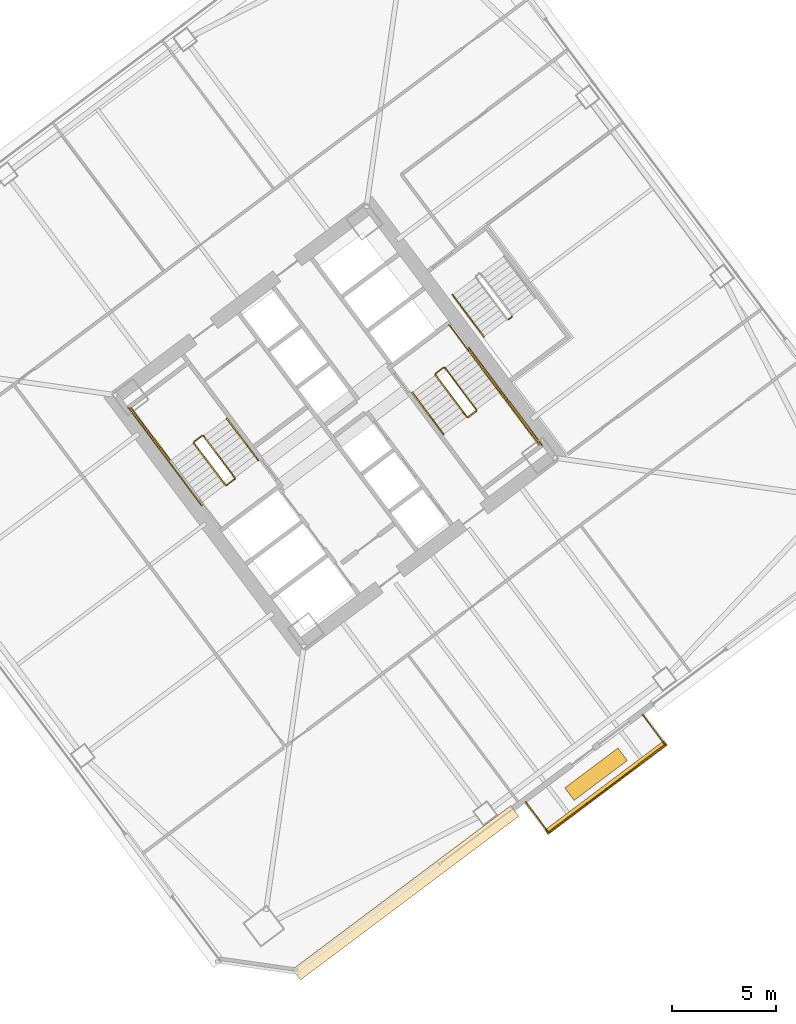
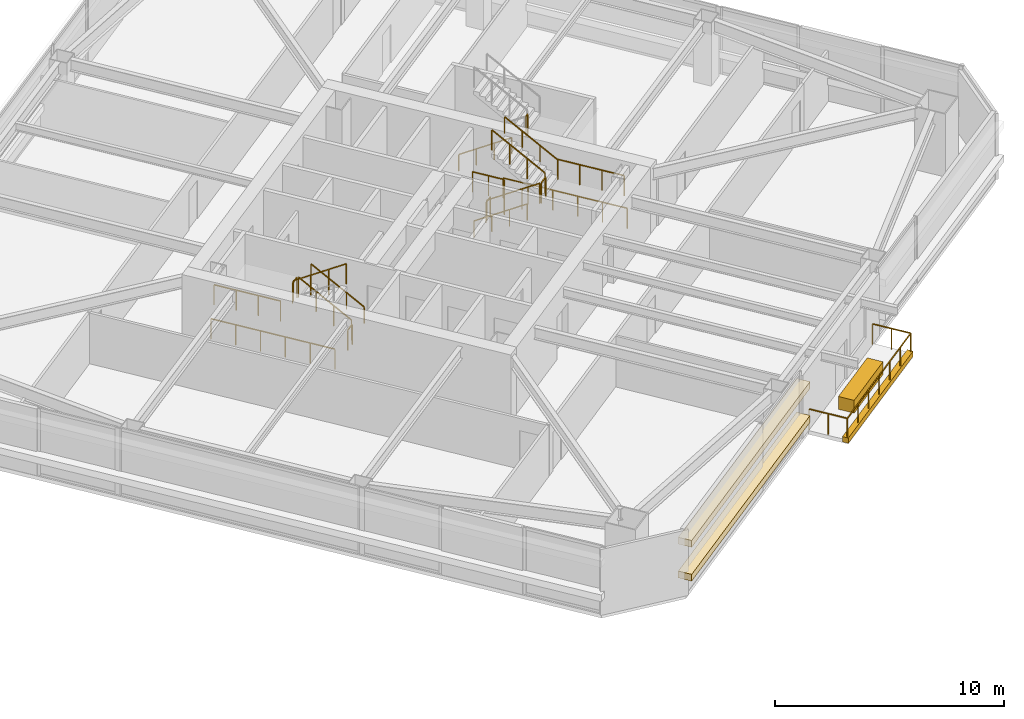
# One storey, part 46 of 48: 21 railings, 4 coverings.
"""IFC4 building model written with IfcOpenShell, lengths in metres."""

from ifc_helpers import new_model, si_unit, direction, frame, origin, origin_2d, place, context, subcontext, project, spatial, rectangle, extrude, material, layer, layer_set, type_object, element, save


model = new_model("IFC4")

# Units and contexts
model_context = context("Model", 3, precision=1e-05, world=origin(), true_north=direction((0.0, 1.0)))
body_context = subcontext(model_context, "Body", "Model", "MODEL_VIEW")
ifc_project = project(units=[si_unit("LENGTHUNIT", "METRE"), si_unit("AREAUNIT", "SQUARE_METRE"), si_unit("VOLUMEUNIT", "CUBIC_METRE"), si_unit("PLANEANGLEUNIT", "RADIAN"), si_unit("MASSUNIT", "GRAM", prefix="KILO")], contexts=[model_context])

# Site, building, storey
site_placement = place(None, origin())
site = spatial("IfcSite", under=ifc_project, at=site_placement, CompositionType="ELEMENT")
building_placement = place(site_placement, origin())
building = spatial("IfcBuilding", under=site, at=building_placement, Name="Tashvorn Skyway Center", CompositionType="ELEMENT")
storey_placement = place(building_placement, frame((0.0, 0.0, 77.85009765625)))
storey = spatial("IfcBuildingStorey", under=building, at=storey_placement, Name="L20", CompositionType="ELEMENT", Elevation=77.85009765625)

# Coverings
ifc_material_1 = material(Name="Perforated ceramic-coated bronze aluminium solar screen", Category="aluminium")
ifc_layer_1 = layer(ifc_material_1, 0.85009765625)
ifc_layer_set_1 = layer_set([ifc_layer_1], Name="Perforated ceramic-coated bronze aluminium solar screen")
covering_type_1 = type_object("IfcCoveringType", Name="COV-SOLAR-BAND", PredefinedType="CLADDING", material=ifc_layer_set_1)
for number, where, z_axis, x_axis, name in (
    (1, (117.39990234375, 9.52490234375, 0.919921875), (0.0, 0.0, 1.0), (-0.799999996291, -0.600000004945, 0.0), "L20 Perforated Ceramic-Metal Solar Screen Louvre Band South 1"),
    (2, (117.39990234375, 9.52490234375, 2.7197265625), (0.0, 0.0, 1.0), (-0.799999996291, -0.600000004945, 0.0), "L20 Perforated Ceramic-Metal Solar Screen Louvre Band South 2"),
):
    element("IfcCovering", number, at=place(storey_placement, frame(where, z_axis=z_axis, x_axis=x_axis)), inside=storey, type_object=covering_type_1, Name=name, PredefinedType="CLADDING", context=body_context, shape_type="SweptSolid", body=[
        extrude(rectangle(XDim=13.14990234375, YDim=0.639892578125, at=origin_2d()), origin(), (0.0, 0.0, 1.0), 0.360107421875),
    ])
ifc_material_2 = material(Name="Precast concrete C40/50", Category="concrete")
ifc_layer_2 = layer(ifc_material_2, 0.35009765625)
ifc_layer_set_2 = layer_set([ifc_layer_2], Name="Precast concrete C40/50")
covering_type_2 = type_object("IfcCoveringType", Name="COV-STONE-TRIM", PredefinedType="CLADDING", material=ifc_layer_set_2)
covering_1_placement = place(storey_placement, frame((127.055908203125, 14.592041015625, -0.16015625), z_axis=(0.0, 0.0, 1.0), x_axis=(-0.799999996291, -0.600000004945, 0.0)))
element("IfcCovering", 3, at=covering_1_placement, inside=storey, type_object=covering_type_2, Name="Tower 2 L20 Spiral Terrace Terracotta Fascia", PredefinedType="CLADDING", context=body_context, shape_type="SweptSolid", body=[
    extrude(rectangle(XDim=7.199951171875, YDim=0.280029296875, at=origin_2d()), origin(), (0.0, 0.0, 1.0), 0.280029296875),
])
covering_2_placement = place(storey_placement, frame((126.570068359375, 15.239990234375, 0.0), z_axis=(0.0, 0.0, 1.0), x_axis=(-0.799999996291, -0.600000004945, 0.0)))
element("IfcCovering", 4, at=covering_2_placement, inside=storey, type_object=covering_type_2, Name="Tower 2 L20 Spiral Terrace Planter", PredefinedType="CLADDING", context=body_context, shape_type="SweptSolid", body=[
    extrude(rectangle(XDim=3.199951171875, YDim=0.75, at=origin_2d()), origin(), (0.0, 0.0, 1.0), 0.679931640625),
])

# Railings
ifc_material_3 = material(Name="Galvanized steel S355", Category="steel")
railing_type_1 = type_object("IfcRailingType", Name="RAIL-GUARD-1120", PredefinedType="GUARDRAIL", material=ifc_material_3)
railing_1_placement = place(storey_placement, frame((123.18408203125, 13.887939453125, 0.0)))
element("IfcRailing", 5, at=railing_1_placement, inside=storey, type_object=railing_type_1, Name="L20 Tower 2 Terrace Guardrail 01", PredefinedType="GUARDRAIL", context=body_context, shape_type="SweptSolid", body=[
    extrude(rectangle(XDim=0.048095703125, YDim=0.048095703125, at=origin_2d()), frame((0.0, 0.0, 1.09619140625), z_axis=(0.599914141212, -0.800064386893, 0.0), x_axis=(0.800064386893, 0.599914141212, 0.0)), (0.0, 0.0, 1.0), 1.81982421875),
    extrude(rectangle(XDim=0.0419921875, YDim=0.0419921875, at=origin_2d()), origin(), (0.0, 0.0, 1.0), 1.072021484375),
    extrude(rectangle(XDim=0.0419921875, YDim=0.0419921875, at=origin_2d()), frame((0.5458984375, -0.72802734375, 0.0)), (0.0, 0.0, 1.0), 1.072021484375),
    extrude(rectangle(XDim=0.0419921875, YDim=0.0419921875, at=origin_2d()), frame((1.091796875, -1.4560546875, 0.0)), (0.0, 0.0, 1.0), 1.072021484375),
])
railing_2_placement = place(storey_placement, frame((124.27587890625, 12.431884765625, 0.0)))
element("IfcRailing", 6, at=railing_2_placement, inside=storey, type_object=railing_type_1, Name="L20 Tower 2 Terrace Guardrail 02", PredefinedType="GUARDRAIL", context=body_context, shape_type="SweptSolid", body=[
    extrude(rectangle(XDim=0.048095703125, YDim=0.048095703125, at=origin_2d()), frame((0.0, 0.0, 1.09619140625), z_axis=(0.799995838574, 0.600005548528, 0.0), x_axis=(-0.600005548528, 0.799995838574, 0.0)), (0.0, 0.0, 1.0), 7.0400390625),
    extrude(rectangle(XDim=0.0419921875, YDim=0.0419921875, at=origin_2d()), origin(), (0.0, 0.0, 1.0), 1.072021484375),
    extrude(rectangle(XDim=0.0419921875, YDim=0.0419921875, at=origin_2d()), frame((0.938720703125, 0.7041015625, 0.0)), (0.0, 0.0, 1.0), 1.072021484375),
    extrude(rectangle(XDim=0.0419921875, YDim=0.0419921875, at=origin_2d()), frame((1.87744140625, 1.407958984375, 0.0)), (0.0, 0.0, 1.0), 1.072021484375),
    extrude(rectangle(XDim=0.0419921875, YDim=0.0419921875, at=origin_2d()), frame((2.81591796875, 2.112060546875, 0.0)), (0.0, 0.0, 1.0), 1.072021484375),
    extrude(rectangle(XDim=0.0419921875, YDim=0.0419921875, at=origin_2d()), frame((3.754638671875, 2.816162109375, 0.0)), (0.0, 0.0, 1.0), 1.072021484375),
    extrude(rectangle(XDim=0.0419921875, YDim=0.0419921875, at=origin_2d()), frame((4.693359375, 3.52001953125, 0.0)), (0.0, 0.0, 1.0), 1.072021484375),
    extrude(rectangle(XDim=0.0419921875, YDim=0.0419921875, at=origin_2d()), frame((5.632080078125, 4.22412109375, 0.0)), (0.0, 0.0, 1.0), 1.072021484375),
])
railing_3_placement = place(storey_placement, frame((129.907958984375, 16.656005859375, 0.0)))
element("IfcRailing", 7, at=railing_3_placement, inside=storey, type_object=railing_type_1, Name="L20 Tower 2 Terrace Guardrail 03", PredefinedType="GUARDRAIL", context=body_context, shape_type="SweptSolid", body=[
    extrude(rectangle(XDim=0.048095703125, YDim=0.048095703125, at=origin_2d()), frame((0.0, 0.0, 1.09619140625), z_axis=(-0.6, 0.8, 0.0), x_axis=(-0.8, -0.6, 0.0)), (0.0, 0.0, 1.0), 1.820068359375),
    extrude(rectangle(XDim=0.0419921875, YDim=0.0419921875, at=origin_2d()), origin(), (0.0, 0.0, 1.0), 1.072021484375),
    extrude(rectangle(XDim=0.0419921875, YDim=0.0419921875, at=origin_2d()), frame((-0.5458984375, 0.72802734375, 0.0)), (0.0, 0.0, 1.0), 1.072021484375),
    extrude(rectangle(XDim=0.0419921875, YDim=0.0419921875, at=origin_2d()), frame((-1.092041015625, 1.4560546875, 0.0)), (0.0, 0.0, 1.0), 1.072021484375),
])
ifc_material_4 = material(Name="Brushed stainless steel 316", Category="steel")
railing_type_2 = type_object("IfcRailingType", Name="RAIL-HAND-920", PredefinedType="HANDRAIL", material=ifc_material_4)
railing_4_placement = place(storey_placement, frame((110.2880859375, 30.365966796875, 0.177490234375)))
element("IfcRailing", 8, at=railing_4_placement, inside=storey, type_object=railing_type_2, Name="L20 ST-T2-1 stair handrail 1", PredefinedType="HANDRAIL", context=body_context, shape_type="SweptSolid", body=[
    extrude(rectangle(XDim=0.048095703125, YDim=0.048095703125, at=origin_2d()), frame((0.0, 0.0, 0.8759765625), z_axis=(-0.506801609611, 0.675680931896, 0.535357270211), x_axis=(-0.799976749893, -0.600030998891, 0.0)), (0.0, 0.0, 1.0), 2.98388671875),
    extrude(rectangle(XDim=0.0419921875, YDim=0.0419921875, at=origin_2d()), origin(), (0.0, 0.0, 1.0), 0.851806640625),
    extrude(rectangle(XDim=0.0419921875, YDim=0.0419921875, at=origin_2d()), frame((-0.504150390625, 0.672119140625, 0.532470703125)), (0.0, 0.0, 1.0), 0.851806640625),
    extrude(rectangle(XDim=0.0419921875, YDim=0.0419921875, at=origin_2d()), frame((-1.008056640625, 1.343994140625, 1.06494140625)), (0.0, 0.0, 1.0), 0.851806640625),
    extrude(rectangle(XDim=0.0419921875, YDim=0.0419921875, at=origin_2d()), frame((-1.51220703125, 2.01611328125, 1.597412109375)), (0.0, 0.0, 1.0), 0.851806640625),
])
railing_5_placement = place(storey_placement, frame((117.7119140625, 33.634033203125, 0.177490234375)))
element("IfcRailing", 9, at=railing_5_placement, inside=storey, type_object=railing_type_2, Name="L20 ST-T2-2 stair handrail 1", PredefinedType="HANDRAIL", context=body_context, shape_type="SweptSolid", body=[
    extrude(rectangle(XDim=0.048095703125, YDim=0.048095703125, at=origin_2d()), frame((0.0, 0.0, 0.8759765625), z_axis=(0.506801609611, -0.675680931896, 0.535357270211), x_axis=(0.799976749893, 0.600030998891, 0.0)), (0.0, 0.0, 1.0), 2.98388671875),
    extrude(rectangle(XDim=0.0419921875, YDim=0.0419921875, at=origin_2d()), origin(), (0.0, 0.0, 1.0), 0.851806640625),
    extrude(rectangle(XDim=0.0419921875, YDim=0.0419921875, at=origin_2d()), frame((0.504150390625, -0.672119140625, 0.532470703125)), (0.0, 0.0, 1.0), 0.851806640625),
    extrude(rectangle(XDim=0.0419921875, YDim=0.0419921875, at=origin_2d()), frame((1.008056640625, -1.343994140625, 1.06494140625)), (0.0, 0.0, 1.0), 0.851806640625),
    extrude(rectangle(XDim=0.0419921875, YDim=0.0419921875, at=origin_2d()), frame((1.51220703125, -2.01611328125, 1.597412109375)), (0.0, 0.0, 1.0), 0.851806640625),
])
railing_6_placement = place(storey_placement, frame((121.927978515625, 33.64599609375, 1.952392578125)))
element("IfcRailing", 10, at=railing_6_placement, inside=storey, type_object=railing_type_2, Name="L20 ST-T2-2 stair handrail 2", PredefinedType="HANDRAIL", context=body_context, shape_type="SweptSolid", body=[
    extrude(rectangle(XDim=0.048095703125, YDim=0.048095703125, at=origin_2d()), frame((0.0, 0.0, 0.8759765625), z_axis=(-0.506740800098, 0.675708949977, 0.535379469569), x_axis=(-0.800023250257, -0.599968998406, 0.0)), (0.0, 0.0, 1.0), 2.983642578125),
    extrude(rectangle(XDim=0.0419921875, YDim=0.0419921875, at=origin_2d()), origin(), (0.0, 0.0, 1.0), 0.851806640625),
    extrude(rectangle(XDim=0.0419921875, YDim=0.0419921875, at=origin_2d()), frame((-0.50390625, 0.672119140625, 0.532470703125)), (0.0, 0.0, 1.0), 0.851806640625),
    extrude(rectangle(XDim=0.0419921875, YDim=0.0419921875, at=origin_2d()), frame((-1.008056640625, 1.343994140625, 1.06494140625)), (0.0, 0.0, 1.0), 0.851806640625),
    extrude(rectangle(XDim=0.0419921875, YDim=0.0419921875, at=origin_2d()), frame((-1.511962890625, 2.01611328125, 1.597412109375)), (0.0, 0.0, 1.0), 0.851806640625),
])
railing_7_placement = place(storey_placement, frame((119.656005859375, 38.342041015625, 0.177490234375)))
element("IfcRailing", 11, at=railing_7_placement, inside=storey, type_object=railing_type_2, Name="L20 ST-T2-3 stair handrail 1", PredefinedType="HANDRAIL", context=body_context, shape_type="SweptSolid", body=[
    extrude(rectangle(XDim=0.048095703125, YDim=0.048095703125, at=origin_2d()), frame((0.0, 0.0, 0.8759765625), z_axis=(0.506740800098, -0.675708949977, 0.535379469569), x_axis=(0.800023250257, 0.599968998406, 0.0)), (0.0, 0.0, 1.0), 2.983642578125),
    extrude(rectangle(XDim=0.0419921875, YDim=0.0419921875, at=origin_2d()), origin(), (0.0, 0.0, 1.0), 0.851806640625),
    extrude(rectangle(XDim=0.0419921875, YDim=0.0419921875, at=origin_2d()), frame((0.50390625, -0.672119140625, 0.532470703125)), (0.0, 0.0, 1.0), 0.851806640625),
    extrude(rectangle(XDim=0.0419921875, YDim=0.0419921875, at=origin_2d()), frame((1.008056640625, -1.343994140625, 1.06494140625)), (0.0, 0.0, 1.0), 0.851806640625),
    extrude(rectangle(XDim=0.0419921875, YDim=0.0419921875, at=origin_2d()), frame((1.511962890625, -2.01611328125, 1.597412109375)), (0.0, 0.0, 1.0), 0.851806640625),
])
ifc_material_5 = material(Name="Painted galvanized steel S355", Category="steel")
railing_type_3 = type_object("IfcRailingType", Name="RAIL-STGUARD-1100", PredefinedType="GUARDRAIL", material=ifc_material_5)
railing_8_placement = place(storey_placement, frame((109.16796875, 29.52587890625, 0.177490234375)))
element("IfcRailing", 12, at=railing_8_placement, inside=storey, type_object=railing_type_3, Name="L20 ST-T2-1 stair guard 1", PredefinedType="GUARDRAIL", context=body_context, shape_type="SweptSolid", body=[
    extrude(rectangle(XDim=0.048095703125, YDim=0.048095703125, at=origin_2d()), frame((0.0, 0.0, 1.076171875), z_axis=(-0.506740800098, 0.675708949977, 0.535379469569), x_axis=(-0.800023250257, -0.599968998406, 0.0)), (0.0, 0.0, 1.0), 2.983642578125),
    extrude(rectangle(XDim=0.0419921875, YDim=0.0419921875, at=origin_2d()), origin(), (0.0, 0.0, 1.0), 1.052001953125),
    extrude(rectangle(XDim=0.0419921875, YDim=0.0419921875, at=origin_2d()), frame((-0.50390625, 0.672119140625, 0.532470703125)), (0.0, 0.0, 1.0), 1.052001953125),
    extrude(rectangle(XDim=0.0419921875, YDim=0.0419921875, at=origin_2d()), frame((-1.008056640625, 1.343994140625, 1.06494140625)), (0.0, 0.0, 1.0), 1.052001953125),
    extrude(rectangle(XDim=0.0419921875, YDim=0.0419921875, at=origin_2d()), frame((-1.511962890625, 2.01611328125, 1.597412109375)), (0.0, 0.0, 1.0), 1.052001953125),
])
railing_9_placement = place(storey_placement, frame((107.5859375, 31.552001953125, 1.77490234375)))
element("IfcRailing", 13, at=railing_9_placement, inside=storey, type_object=railing_type_3, Name="L20 ST-T2-1 stair guard 2", PredefinedType="GUARDRAIL", context=body_context, shape_type="SweptSolid", body=[
    extrude(rectangle(XDim=0.048095703125, YDim=0.048095703125, at=origin_2d()), frame((0.0, 0.0, 1.076171875), z_axis=(-0.799938970639, -0.600081363861, 0.0), x_axis=(0.600081363861, -0.799938970639, 0.0)), (0.0, 0.0, 1.0), 0.47998046875),
    extrude(rectangle(XDim=0.0419921875, YDim=0.0419921875, at=origin_2d()), origin(), (0.0, 0.0, 1.0), 1.052001953125),
    extrude(rectangle(XDim=0.0419921875, YDim=0.0419921875, at=origin_2d()), frame((-0.384033203125, -0.2880859375, 0.0)), (0.0, 0.0, 1.0), 1.052001953125),
])
railing_10_placement = place(storey_placement, frame((106.072021484375, 30.35400390625, 1.77490234375)))
element("IfcRailing", 14, at=railing_10_placement, inside=storey, type_object=railing_type_3, Name="L20 ST-T2-1 stair guard 3", PredefinedType="GUARDRAIL", context=body_context, shape_type="SweptSolid", body=[
    extrude(rectangle(XDim=0.048095703125, YDim=0.048095703125, at=origin_2d()), frame((0.0, 0.0, 1.076171875), z_axis=(-0.599987638607, 0.800009270896, 0.0), x_axis=(-0.800009270896, -0.599987638607, 0.0)), (0.0, 0.0, 1.0), 3.16015625),
    extrude(rectangle(XDim=0.0419921875, YDim=0.0419921875, at=origin_2d()), origin(), (0.0, 0.0, 1.0), 1.052001953125),
    extrude(rectangle(XDim=0.0419921875, YDim=0.0419921875, at=origin_2d()), frame((-0.632080078125, 0.8427734375, 0.0)), (0.0, 0.0, 1.0), 1.052001953125),
    extrude(rectangle(XDim=0.0419921875, YDim=0.0419921875, at=origin_2d()), frame((-1.263916015625, 1.685302734375, 0.0)), (0.0, 0.0, 1.0), 1.052001953125),
    extrude(rectangle(XDim=0.0419921875, YDim=0.0419921875, at=origin_2d()), frame((-1.89599609375, 2.528076171875, 0.0)), (0.0, 0.0, 1.0), 1.052001953125),
])
railing_11_placement = place(storey_placement, frame((107.19189453125, 31.194091796875, 1.952392578125)))
element("IfcRailing", 15, at=railing_11_placement, inside=storey, type_object=railing_type_3, Name="L20 ST-T2-1 stair guard 4", PredefinedType="GUARDRAIL", context=body_context, shape_type="SweptSolid", body=[
    extrude(rectangle(XDim=0.048095703125, YDim=0.048095703125, at=origin_2d()), frame((0.0, 0.0, 1.076171875), z_axis=(0.506801609611, -0.675680931896, 0.535357270211), x_axis=(0.799976749893, 0.600030998891, 0.0)), (0.0, 0.0, 1.0), 2.98388671875),
    extrude(rectangle(XDim=0.0419921875, YDim=0.0419921875, at=origin_2d()), origin(), (0.0, 0.0, 1.0), 1.052001953125),
    extrude(rectangle(XDim=0.0419921875, YDim=0.0419921875, at=origin_2d()), frame((0.504150390625, -0.672119140625, 0.532470703125)), (0.0, 0.0, 1.0), 1.052001953125),
    extrude(rectangle(XDim=0.0419921875, YDim=0.0419921875, at=origin_2d()), frame((1.008056640625, -1.343994140625, 1.06494140625)), (0.0, 0.0, 1.0), 1.052001953125),
    extrude(rectangle(XDim=0.0419921875, YDim=0.0419921875, at=origin_2d()), frame((1.51220703125, -2.01611328125, 1.597412109375)), (0.0, 0.0, 1.0), 1.052001953125),
])
railing_12_placement = place(storey_placement, frame((109.157958984375, 29.4560546875, 0.0)))
element("IfcRailing", 16, at=railing_12_placement, inside=storey, type_object=railing_type_3, Name="L20 ST-T2-1 stair guard 5", PredefinedType="GUARDRAIL", context=body_context, shape_type="SweptSolid", body=[
    extrude(rectangle(XDim=0.048095703125, YDim=0.048095703125, at=origin_2d()), frame((0.0, 0.0, 1.076171875), z_axis=(-0.799938970639, -0.600081363861, 0.0), x_axis=(0.600081363861, -0.799938970639, 0.0)), (0.0, 0.0, 1.0), 0.47998046875),
    extrude(rectangle(XDim=0.0419921875, YDim=0.0419921875, at=origin_2d()), origin(), (0.0, 0.0, 1.0), 1.052001953125),
    extrude(rectangle(XDim=0.0419921875, YDim=0.0419921875, at=origin_2d()), frame((-0.384033203125, -0.2880859375, 0.0)), (0.0, 0.0, 1.0), 1.052001953125),
])
railing_13_placement = place(storey_placement, frame((107.56396484375, 28.197998046875, 0.0)))
element("IfcRailing", 17, at=railing_13_placement, inside=storey, type_object=railing_type_3, Name="L20 ST-T2-1 stair guard 7", PredefinedType="GUARDRAIL", context=body_context, shape_type="SweptSolid", body=[
    extrude(rectangle(XDim=0.048095703125, YDim=0.048095703125, at=origin_2d()), frame((0.0, 0.0, 1.076171875), z_axis=(-0.6, 0.8, 0.0), x_axis=(-0.8, -0.6, 0.0)), (0.0, 0.0, 1.0), 5.880126953125),
    extrude(rectangle(XDim=0.0419921875, YDim=0.0419921875, at=origin_2d()), origin(), (0.0, 0.0, 1.0), 1.052001953125),
    extrude(rectangle(XDim=0.0419921875, YDim=0.0419921875, at=origin_2d()), frame((-0.70556640625, 0.94091796875, 0.0)), (0.0, 0.0, 1.0), 1.052001953125),
    extrude(rectangle(XDim=0.0419921875, YDim=0.0419921875, at=origin_2d()), frame((-1.4111328125, 1.881591796875, 0.0)), (0.0, 0.0, 1.0), 1.052001953125),
    extrude(rectangle(XDim=0.0419921875, YDim=0.0419921875, at=origin_2d()), frame((-2.116943359375, 2.822509765625, 0.0)), (0.0, 0.0, 1.0), 1.052001953125),
    extrude(rectangle(XDim=0.0419921875, YDim=0.0419921875, at=origin_2d()), frame((-2.822509765625, 3.76318359375, 0.0)), (0.0, 0.0, 1.0), 1.052001953125),
    extrude(rectangle(XDim=0.0419921875, YDim=0.0419921875, at=origin_2d()), frame((-3.528076171875, 4.7041015625, 0.0)), (0.0, 0.0, 1.0), 1.052001953125),
])
railing_14_placement = place(storey_placement, frame((118.83203125, 34.47412109375, 0.177490234375)))
element("IfcRailing", 18, at=railing_14_placement, inside=storey, type_object=railing_type_3, Name="L20 ST-T2-2 stair guard 1", PredefinedType="GUARDRAIL", context=body_context, shape_type="SweptSolid", body=[
    extrude(rectangle(XDim=0.048095703125, YDim=0.048095703125, at=origin_2d()), frame((0.0, 0.0, 1.076171875), z_axis=(0.506740800098, -0.675708949977, 0.535379469569), x_axis=(0.800023250257, 0.599968998406, 0.0)), (0.0, 0.0, 1.0), 2.983642578125),
    extrude(rectangle(XDim=0.0419921875, YDim=0.0419921875, at=origin_2d()), origin(), (0.0, 0.0, 1.0), 1.052001953125),
    extrude(rectangle(XDim=0.0419921875, YDim=0.0419921875, at=origin_2d()), frame((0.50390625, -0.672119140625, 0.532470703125)), (0.0, 0.0, 1.0), 1.052001953125),
    extrude(rectangle(XDim=0.0419921875, YDim=0.0419921875, at=origin_2d()), frame((1.008056640625, -1.343994140625, 1.06494140625)), (0.0, 0.0, 1.0), 1.052001953125),
    extrude(rectangle(XDim=0.0419921875, YDim=0.0419921875, at=origin_2d()), frame((1.511962890625, -2.01611328125, 1.597412109375)), (0.0, 0.0, 1.0), 1.052001953125),
])
railing_15_placement = place(storey_placement, frame((120.4140625, 32.447998046875, 1.77490234375)))
element("IfcRailing", 19, at=railing_15_placement, inside=storey, type_object=railing_type_3, Name="L20 ST-T2-2 stair guard 2", PredefinedType="GUARDRAIL", context=body_context, shape_type="SweptSolid", body=[
    extrude(rectangle(XDim=0.048095703125, YDim=0.048095703125, at=origin_2d()), frame((0.0, 0.0, 1.076171875), z_axis=(0.799938970639, 0.600081363861, 0.0), x_axis=(-0.600081363861, 0.799938970639, 0.0)), (0.0, 0.0, 1.0), 0.47998046875),
    extrude(rectangle(XDim=0.0419921875, YDim=0.0419921875, at=origin_2d()), origin(), (0.0, 0.0, 1.0), 1.052001953125),
    extrude(rectangle(XDim=0.0419921875, YDim=0.0419921875, at=origin_2d()), frame((0.384033203125, 0.2880859375, 0.0)), (0.0, 0.0, 1.0), 1.052001953125),
])
railing_16_placement = place(storey_placement, frame((121.927978515625, 33.64599609375, 1.77490234375)))
element("IfcRailing", 20, at=railing_16_placement, inside=storey, type_object=railing_type_3, Name="L20 ST-T2-2 stair guard 3", PredefinedType="GUARDRAIL", context=body_context, shape_type="SweptSolid", body=[
    extrude(rectangle(XDim=0.048095703125, YDim=0.048095703125, at=origin_2d()), frame((0.0, 0.0, 1.076171875), z_axis=(0.599987638607, -0.800009270896, 0.0), x_axis=(0.800009270896, 0.599987638607, 0.0)), (0.0, 0.0, 1.0), 3.16015625),
    extrude(rectangle(XDim=0.0419921875, YDim=0.0419921875, at=origin_2d()), origin(), (0.0, 0.0, 1.0), 1.052001953125),
    extrude(rectangle(XDim=0.0419921875, YDim=0.0419921875, at=origin_2d()), frame((0.632080078125, -0.8427734375, 0.0)), (0.0, 0.0, 1.0), 1.052001953125),
    extrude(rectangle(XDim=0.0419921875, YDim=0.0419921875, at=origin_2d()), frame((1.263916015625, -1.685302734375, 0.0)), (0.0, 0.0, 1.0), 1.052001953125),
    extrude(rectangle(XDim=0.0419921875, YDim=0.0419921875, at=origin_2d()), frame((1.89599609375, -2.528076171875, 0.0)), (0.0, 0.0, 1.0), 1.052001953125),
])
railing_17_placement = place(storey_placement, frame((120.80810546875, 32.805908203125, 1.952392578125)))
element("IfcRailing", 21, at=railing_17_placement, inside=storey, type_object=railing_type_3, Name="L20 ST-T2-2 stair guard 4", PredefinedType="GUARDRAIL", context=body_context, shape_type="SweptSolid", body=[
    extrude(rectangle(XDim=0.048095703125, YDim=0.048095703125, at=origin_2d()), frame((0.0, 0.0, 1.076171875), z_axis=(-0.506801609611, 0.675680931896, 0.535357270211), x_axis=(-0.799976749893, -0.600030998891, 0.0)), (0.0, 0.0, 1.0), 2.98388671875),
    extrude(rectangle(XDim=0.0419921875, YDim=0.0419921875, at=origin_2d()), origin(), (0.0, 0.0, 1.0), 1.052001953125),
    extrude(rectangle(XDim=0.0419921875, YDim=0.0419921875, at=origin_2d()), frame((-0.504150390625, 0.672119140625, 0.532470703125)), (0.0, 0.0, 1.0), 1.052001953125),
    extrude(rectangle(XDim=0.0419921875, YDim=0.0419921875, at=origin_2d()), frame((-1.008056640625, 1.343994140625, 1.06494140625)), (0.0, 0.0, 1.0), 1.052001953125),
    extrude(rectangle(XDim=0.0419921875, YDim=0.0419921875, at=origin_2d()), frame((-1.51220703125, 2.01611328125, 1.597412109375)), (0.0, 0.0, 1.0), 1.052001953125),
])
railing_18_placement = place(storey_placement, frame((118.842041015625, 34.5439453125, 0.0)))
element("IfcRailing", 22, at=railing_18_placement, inside=storey, type_object=railing_type_3, Name="L20 ST-T2-2 stair guard 5", PredefinedType="GUARDRAIL", context=body_context, shape_type="SweptSolid", body=[
    extrude(rectangle(XDim=0.048095703125, YDim=0.048095703125, at=origin_2d()), frame((0.0, 0.0, 1.076171875), z_axis=(0.799938970639, 0.600081363861, 0.0), x_axis=(-0.600081363861, 0.799938970639, 0.0)), (0.0, 0.0, 1.0), 0.47998046875),
    extrude(rectangle(XDim=0.0419921875, YDim=0.0419921875, at=origin_2d()), origin(), (0.0, 0.0, 1.0), 1.052001953125),
    extrude(rectangle(XDim=0.0419921875, YDim=0.0419921875, at=origin_2d()), frame((0.384033203125, 0.2880859375, 0.0)), (0.0, 0.0, 1.0), 1.052001953125),
])
railing_19_placement = place(storey_placement, frame((119.50390625, 36.8779296875, 0.0)))
element("IfcRailing", 23, at=railing_19_placement, inside=storey, type_object=railing_type_3, Name="L20 ST-T2-2 stair guard 6", PredefinedType="GUARDRAIL", context=body_context, shape_type="SweptSolid", body=[
    extrude(rectangle(XDim=0.048095703125, YDim=0.048095703125, at=origin_2d()), frame((0.0, 0.0, 1.076171875), z_axis=(0.600102796382, -0.799922892393, 0.0), x_axis=(0.799922892393, 0.600102796382, 0.0)), (0.0, 0.0, 1.0), 1.52001953125),
    extrude(rectangle(XDim=0.0419921875, YDim=0.0419921875, at=origin_2d()), origin(), (0.0, 0.0, 1.0), 1.052001953125),
    extrude(rectangle(XDim=0.0419921875, YDim=0.0419921875, at=origin_2d()), frame((0.4560546875, -0.60791015625, 0.0)), (0.0, 0.0, 1.0), 1.052001953125),
    extrude(rectangle(XDim=0.0419921875, YDim=0.0419921875, at=origin_2d()), frame((0.912109375, -1.2158203125, 0.0)), (0.0, 0.0, 1.0), 1.052001953125),
])
railing_20_placement = place(storey_placement, frame((120.43603515625, 35.802001953125, 0.0)))
element("IfcRailing", 24, at=railing_20_placement, inside=storey, type_object=railing_type_3, Name="L20 ST-T2-2 stair guard 7", PredefinedType="GUARDRAIL", context=body_context, shape_type="SweptSolid", body=[
    extrude(rectangle(XDim=0.048095703125, YDim=0.048095703125, at=origin_2d()), frame((0.0, 0.0, 1.076171875), z_axis=(0.6, -0.8, 0.0), x_axis=(0.8, 0.6, 0.0)), (0.0, 0.0, 1.0), 5.880126953125),
    extrude(rectangle(XDim=0.0419921875, YDim=0.0419921875, at=origin_2d()), origin(), (0.0, 0.0, 1.0), 1.052001953125),
    extrude(rectangle(XDim=0.0419921875, YDim=0.0419921875, at=origin_2d()), frame((0.70556640625, -0.94091796875, 0.0)), (0.0, 0.0, 1.0), 1.052001953125),
    extrude(rectangle(XDim=0.0419921875, YDim=0.0419921875, at=origin_2d()), frame((1.4111328125, -1.881591796875, 0.0)), (0.0, 0.0, 1.0), 1.052001953125),
    extrude(rectangle(XDim=0.0419921875, YDim=0.0419921875, at=origin_2d()), frame((2.116943359375, -2.822509765625, 0.0)), (0.0, 0.0, 1.0), 1.052001953125),
    extrude(rectangle(XDim=0.0419921875, YDim=0.0419921875, at=origin_2d()), frame((2.822509765625, -3.76318359375, 0.0)), (0.0, 0.0, 1.0), 1.052001953125),
    extrude(rectangle(XDim=0.0419921875, YDim=0.0419921875, at=origin_2d()), frame((3.528076171875, -4.7041015625, 0.0)), (0.0, 0.0, 1.0), 1.052001953125),
])
railing_21_placement = place(storey_placement, frame((122.35791015625, 37.156005859375, 1.77490234375)))
element("IfcRailing", 25, at=railing_21_placement, inside=storey, type_object=railing_type_3, Name="L20 ST-T2-3 stair guard 2", PredefinedType="GUARDRAIL", context=body_context, shape_type="SweptSolid", body=[
    extrude(rectangle(XDim=0.048095703125, YDim=0.048095703125, at=origin_2d()), frame((0.0, 0.0, 1.076171875), z_axis=(0.800585412921, 0.599218655098, 0.0), x_axis=(-0.599218655098, 0.800585412921, 0.0)), (0.0, 0.0, 1.0), 0.199951171875),
    extrude(rectangle(XDim=0.0419921875, YDim=0.0419921875, at=origin_2d()), origin(), (0.0, 0.0, 1.0), 1.052001953125),
    extrude(rectangle(XDim=0.0419921875, YDim=0.0419921875, at=origin_2d()), frame((0.16015625, 0.119873046875, 0.0)), (0.0, 0.0, 1.0), 1.052001953125),
])

save(model, "model.ifc")
